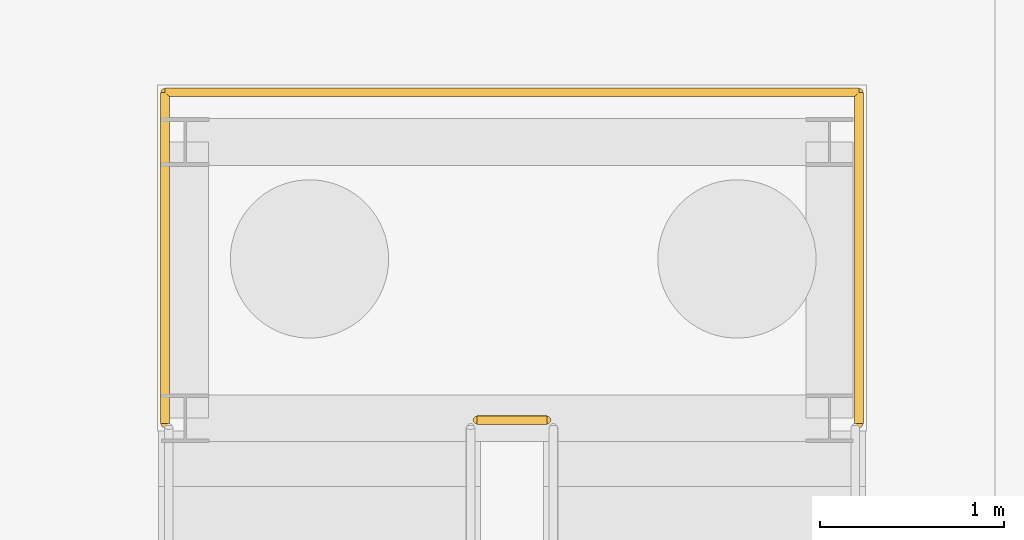
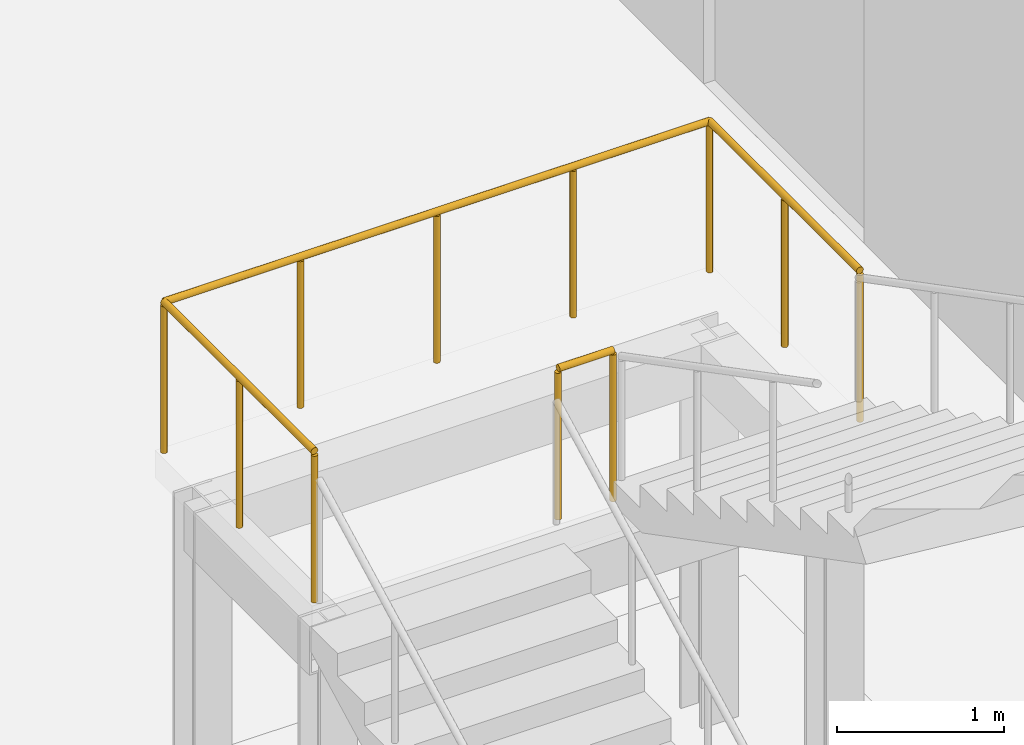
# One storey, part 126 of 131: 2 railings.
"""IFC4 building model written with IfcOpenShell, lengths in metres."""

from ifc_helpers import new_model, si_unit, direction, frame, origin, origin_2d, place, context, subcontext, project, spatial, circle, extrude, material, type_object, element, save


model = new_model("IFC4")

# Units and contexts
model_context = context("Model", 3, precision=1e-05, world=origin(), true_north=direction((0.0, 1.0)))
body_context = subcontext(model_context, "Body", "Model", "MODEL_VIEW")
ifc_project = project(units=[si_unit("LENGTHUNIT", "METRE"), si_unit("AREAUNIT", "SQUARE_METRE"), si_unit("VOLUMEUNIT", "CUBIC_METRE"), si_unit("PLANEANGLEUNIT", "RADIAN"), si_unit("MASSUNIT", "GRAM", prefix="KILO")], contexts=[model_context])

# Site, building, storey
site_placement = place(None, origin())
site = spatial("IfcSite", under=ifc_project, at=site_placement, CompositionType="ELEMENT")
building_placement = place(site_placement, origin())
building = spatial("IfcBuilding", under=site, at=building_placement, Name="Cazmaro Siding Exhibition Halls", CompositionType="ELEMENT")
storey_placement = place(building_placement, origin())
storey = spatial("IfcBuildingStorey", under=building, at=storey_placement, Name="L00", CompositionType="ELEMENT", Elevation=0.0)

# Railings
ifc_material = material(Name="Painted Steel Stairwell Guardrail", Category="steel")
railing_type = type_object("IfcRailingType", Name="RL-GRD-01", PredefinedType="GUARDRAIL", material=ifc_material)
railing_1_placement = place(storey_placement, frame((183.735107421875, 25.260009765625, 3.0)))
element("IfcRailing", 1, at=railing_1_placement, inside=storey, type_object=railing_type, Name="ST-29 Mid-Landing Slot Guard RL-GRD-01 RL-SG063", PredefinedType="GUARDRAIL", context=body_context, shape_type="SweptSolid", body=[
    extrude(circle(Radius=0.02392578125, at=origin_2d()), frame((0.0, 0.0, 1.09619140625), z_axis=(1.0, 0.0, 0.0), x_axis=(0.0, 1.0, 0.0)), (0.0, 0.0, 1.0), 0.3798828125),
    extrude(circle(Radius=0.02099609375, at=origin_2d()), origin(), (0.0, 0.0, 1.0), 1.072021484375),
    extrude(circle(Radius=0.02099609375, at=origin_2d()), frame((0.3798828125, 0.0, 0.0)), (0.0, 0.0, 1.0), 1.072021484375),
])
railing_2_placement = place(storey_placement, frame((182.0400390625, 25.239990234375, 3.0)))
element("IfcRailing", 2, at=railing_2_placement, inside=storey, type_object=railing_type, Name="ST-29 Mid-Landing Perimeter Guard RL-GRD-01 RL-SG064", PredefinedType="GUARDRAIL", context=body_context, shape_type="SweptSolid", body=[
    extrude(circle(Radius=0.02392578125, at=origin_2d()), frame((0.0, 0.0, 1.09619140625), z_axis=(0.0, 1.0, 0.0), x_axis=(-1.0, 0.0, 0.0)), (0.0, 0.0, 1.0), 1.800048828125),
    extrude(circle(Radius=0.02392578125, at=origin_2d()), frame((0.0, 1.800048828125, 1.09619140625), z_axis=(1.0, 0.0, 0.0), x_axis=(0.0, 1.0, 0.0)), (0.0, 0.0, 1.0), 3.77001953125),
    extrude(circle(Radius=0.02392578125, at=origin_2d()), frame((3.77001953125, 1.800048828125, 1.09619140625), z_axis=(0.0, -1.0, 0.0), x_axis=(1.0, 0.0, 0.0)), (0.0, 0.0, 1.0), 1.800048828125),
    extrude(circle(Radius=0.02099609375, at=origin_2d()), origin(), (0.0, 0.0, 1.0), 1.072021484375),
    extrude(circle(Radius=0.02099609375, at=origin_2d()), frame((0.0, 0.89990234375, 0.0)), (0.0, 0.0, 1.0), 1.072021484375),
    extrude(circle(Radius=0.02099609375, at=origin_2d()), frame((0.0, 1.800048828125, 0.0)), (0.0, 0.0, 1.0), 1.072021484375),
    extrude(circle(Radius=0.02099609375, at=origin_2d()), frame((0.9423828125, 1.800048828125, 0.0)), (0.0, 0.0, 1.0), 1.072021484375),
    extrude(circle(Radius=0.02099609375, at=origin_2d()), frame((1.885009765625, 1.800048828125, 0.0)), (0.0, 0.0, 1.0), 1.072021484375),
    extrude(circle(Radius=0.02099609375, at=origin_2d()), frame((2.82763671875, 1.800048828125, 0.0)), (0.0, 0.0, 1.0), 1.072021484375),
    extrude(circle(Radius=0.02099609375, at=origin_2d()), frame((3.77001953125, 1.800048828125, 0.0)), (0.0, 0.0, 1.0), 1.072021484375),
    extrude(circle(Radius=0.02099609375, at=origin_2d()), frame((3.77001953125, 0.89990234375, 0.0)), (0.0, 0.0, 1.0), 1.072021484375),
    extrude(circle(Radius=0.02099609375, at=origin_2d()), frame((3.77001953125, 0.0, 0.0)), (0.0, 0.0, 1.0), 1.072021484375),
])

save(model, "model.ifc")
